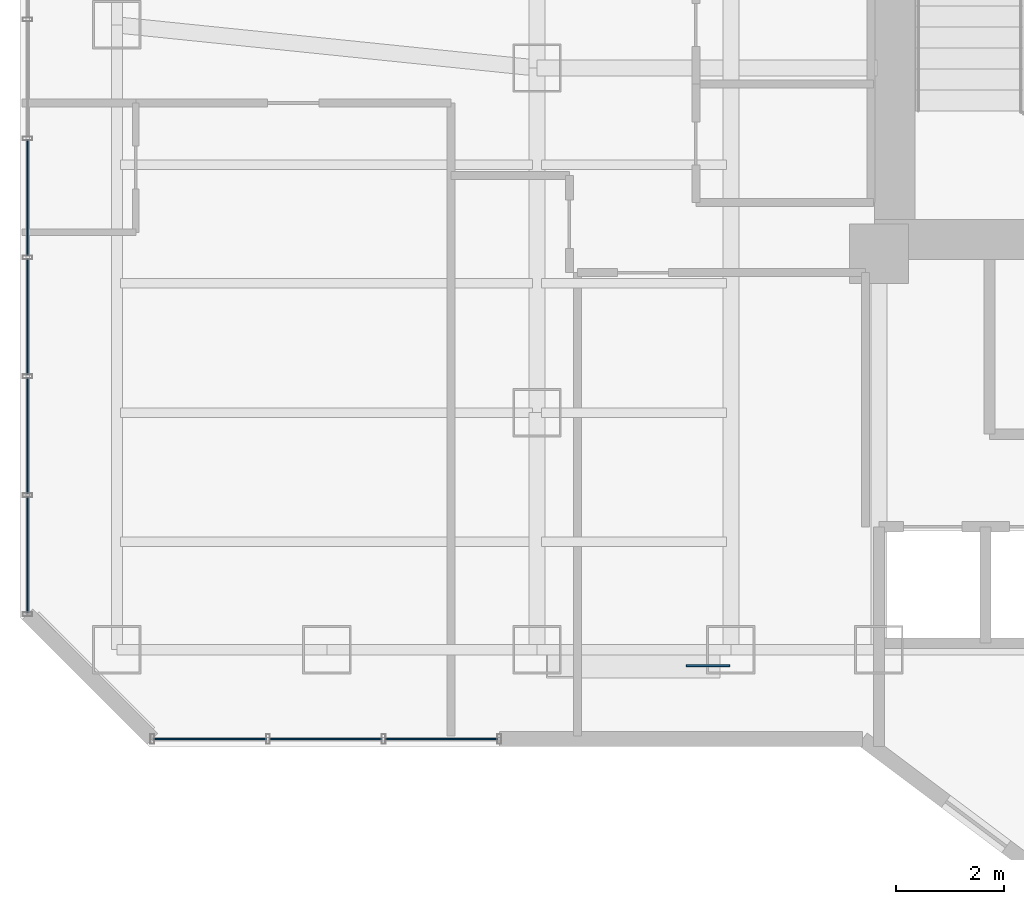
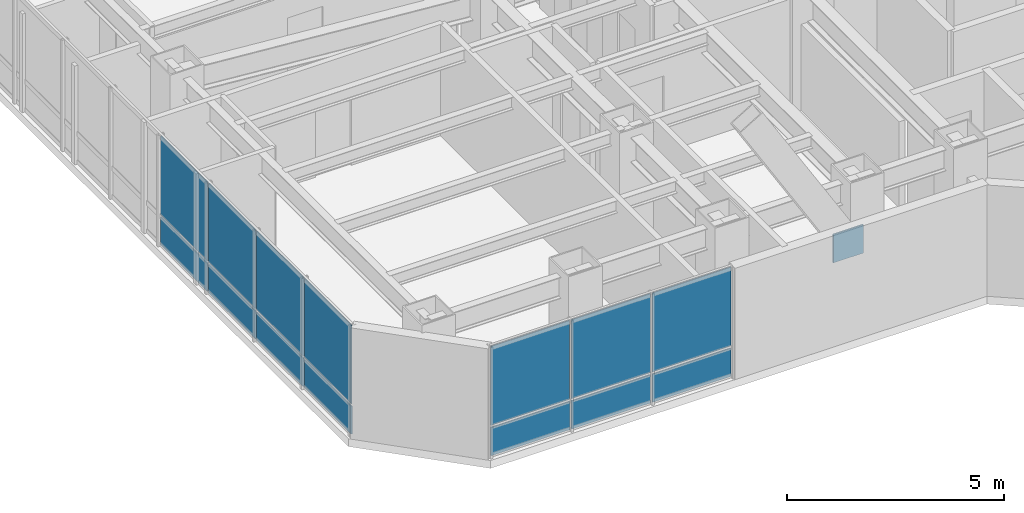
# One storey, part 20 of 31: 15 plates, 2 elements without a shape of their own.
"""IFC4 building model written with IfcOpenShell, lengths in metres."""

from ifc_helpers import new_model, si_unit, direction, frame, origin, origin_2d, place, context, subcontext, project, spatial, rectangle, extrude, material, layer, layer_set, type_object, element, aggregate, save


model = new_model("IFC4")

# Units and contexts
model_context = context("Model", 3, precision=1e-05, world=origin(), true_north=direction((0.0, 1.0)))
body_context = subcontext(model_context, "Body", "Model", "MODEL_VIEW")
ifc_project = project(units=[si_unit("LENGTHUNIT", "METRE"), si_unit("AREAUNIT", "SQUARE_METRE"), si_unit("VOLUMEUNIT", "CUBIC_METRE"), si_unit("PLANEANGLEUNIT", "RADIAN"), si_unit("MASSUNIT", "GRAM", prefix="KILO")], contexts=[model_context])

# Site, building, storey
site_placement = place(None, origin())
site = spatial("IfcSite", under=ifc_project, at=site_placement, CompositionType="ELEMENT")
building_placement = place(site_placement, origin())
building = spatial("IfcBuilding", under=site, at=building_placement, Name="Hatsunagi Terrace Concourse", CompositionType="ELEMENT")
storey_placement = place(building_placement, frame((0.0, 0.0, 77.949951171875)))
storey = spatial("IfcBuildingStorey", under=building, at=storey_placement, Name="L20", CompositionType="ELEMENT", Elevation=77.949951171875)

# Curtain wall, plates
ifc_material_1 = material(Name="Anodised Aluminium Alloy 6063-T5", Category="aluminium")
ifc_layer_1 = layer(ifc_material_1, 0.199951171875)
ifc_layer_set_1 = layer_set([ifc_layer_1], Name="HotelFacade_CW02")
curtain_wall_type = type_object("IfcCurtainWallType", Name="HotelFacade_CW02", PredefinedType="NOTDEFINED", material=ifc_layer_set_1)
curtain_wall_1_placement = place(storey_placement, origin())
curtain_wall_1 = element("IfcCurtainWall", 1, at=curtain_wall_1_placement, inside=storey, type_object=curtain_wall_type, Name="Unitised Curtain Wall CW-02 CW-L20-07", PredefinedType="NOTDEFINED")
ifc_material_2 = material(Name="Warm Terracotta Ceramic Spandrel Panel", Category="masonry")
ifc_layer_2 = layer(ifc_material_2, 0.031982421875)
ifc_layer_set_2 = layer_set([ifc_layer_2], Name="CurtainWallSpandrelPanel_32")
plate_type_1 = type_object("IfcPlateType", Name="CurtainWallSpandrelPanel_32", PredefinedType="SHEET", material=ifc_layer_set_2)
plate_1_placement = place(storey_placement, frame((17.426025390625, 23.5400390625, 0.030029296875), z_axis=(0.0, 0.0, 1.0), x_axis=(-1.0, 0.0, 0.0)))
plate_1 = element("IfcPlate", 2, at=plate_1_placement, type_object=plate_type_1, Name="Terracotta Spandrel Panel SPN-01", PredefinedType="SHEET", context=body_context, shape_type="SweptSolid", body=[
    extrude(rectangle(XDim=2.092041015625, YDim=0.031982421875, at=origin_2d()), origin(), (0.0, 0.0, 1.0), 0.7900390625),
])
plate_2_placement = place(storey_placement, frame((15.279052734375, 23.5400390625, 0.030029296875), z_axis=(0.0, 0.0, 1.0), x_axis=(-1.0, 0.0, 0.0)))
plate_2 = element("IfcPlate", 3, at=plate_2_placement, type_object=plate_type_1, Name="Terracotta Spandrel Panel SPN-01", PredefinedType="SHEET", context=body_context, shape_type="SweptSolid", body=[
    extrude(rectangle(XDim=2.092041015625, YDim=0.031982421875, at=origin_2d()), origin(), (0.0, 0.0, 1.0), 0.7900390625),
])
plate_3_placement = place(storey_placement, frame((13.132080078125, 23.5400390625, 0.030029296875), z_axis=(0.0, 0.0, 1.0), x_axis=(-1.0, 0.0, 0.0)))
plate_3 = element("IfcPlate", 4, at=plate_3_placement, type_object=plate_type_1, Name="Terracotta Spandrel Panel SPN-01", PredefinedType="SHEET", context=body_context, shape_type="SweptSolid", body=[
    extrude(rectangle(XDim=2.092041015625, YDim=0.031982421875, at=origin_2d()), origin(), (0.0, 0.0, 1.0), 0.7900390625),
])

curtain_wall_2_placement = place(storey_placement, origin())
curtain_wall_2 = element("IfcCurtainWall", 5, at=curtain_wall_2_placement, inside=storey, type_object=curtain_wall_type, Name="Unitised Curtain Wall CW-02 CW-L20-09", PredefinedType="NOTDEFINED")
plate_4_placement = place(storey_placement, frame((9.739990234375, 26.9619140625, 0.030029296875), z_axis=(0.0, 0.0, 1.0), x_axis=(0.0, 1.0, 0.0)))
plate_4 = element("IfcPlate", 6, at=plate_4_placement, type_object=plate_type_1, Name="Terracotta Spandrel Panel SPN-01", PredefinedType="SHEET", context=body_context, shape_type="SweptSolid", body=[
    extrude(rectangle(XDim=2.153076171875, YDim=0.031982421875, at=origin_2d()), origin(), (0.0, 0.0, 1.0), 0.7900390625),
])
plate_5_placement = place(storey_placement, frame((9.739990234375, 29.1708984375, 0.030029296875), z_axis=(0.0, 0.0, 1.0), x_axis=(0.0, 1.0, 0.0)))
plate_5 = element("IfcPlate", 7, at=plate_5_placement, type_object=plate_type_1, Name="Terracotta Spandrel Panel SPN-01", PredefinedType="SHEET", context=body_context, shape_type="SweptSolid", body=[
    extrude(rectangle(XDim=2.153076171875, YDim=0.031982421875, at=origin_2d()), origin(), (0.0, 0.0, 1.0), 0.7900390625),
])
plate_6_placement = place(storey_placement, frame((9.739990234375, 31.37890625, 0.030029296875), z_axis=(0.0, 0.0, 1.0), x_axis=(0.0, 1.0, 0.0)))
plate_6 = element("IfcPlate", 8, at=plate_6_placement, type_object=plate_type_1, Name="Terracotta Spandrel Panel SPN-01", PredefinedType="SHEET", context=body_context, shape_type="SweptSolid", body=[
    extrude(rectangle(XDim=2.153076171875, YDim=0.031982421875, at=origin_2d()), origin(), (0.0, 0.0, 1.0), 0.7900390625),
])
plate_7_placement = place(storey_placement, frame((9.739990234375, 33.5869140625, 0.030029296875), z_axis=(0.0, 0.0, 1.0), x_axis=(0.0, 1.0, 0.0)))
plate_7 = element("IfcPlate", 9, at=plate_7_placement, type_object=plate_type_1, Name="Terracotta Spandrel Panel SPN-01", PredefinedType="SHEET", context=body_context, shape_type="SweptSolid", body=[
    extrude(rectangle(XDim=2.153076171875, YDim=0.031982421875, at=origin_2d()), origin(), (0.0, 0.0, 1.0), 0.7900390625),
])

# Plate
ifc_material_3 = material(Name="Low-E Double Insulating Glass 28mm", Category="glass")
ifc_layer_3 = layer(ifc_material_3, 0.028076171875)
ifc_layer_set_3 = layer_set([ifc_layer_3], Name="CurtainWallVisionGlass_28")
plate_type_2 = type_object("IfcPlateType", Name="CurtainWallVisionGlass_28", PredefinedType="CURTAIN_PANEL", material=ifc_layer_set_3)
plate_8_placement = place(storey_placement, frame((17.426025390625, 23.5400390625, 0.8798828125), z_axis=(0.0, 0.0, 1.0), x_axis=(-1.0, 0.0, 0.0)))
plate_8 = element("IfcPlate", 10, at=plate_8_placement, type_object=plate_type_2, Name="Low-E Vision Glass Panel GLZ-01", PredefinedType="CURTAIN_PANEL", context=body_context, shape_type="SweptSolid", body=[
    extrude(rectangle(XDim=2.092041015625, YDim=0.028076171875, at=origin_2d()), origin(), (0.0, 0.0, 1.0), 2.219970703125),
])

plate_9_placement = place(storey_placement, frame((15.279052734375, 23.5400390625, 0.8798828125), z_axis=(0.0, 0.0, 1.0), x_axis=(-1.0, 0.0, 0.0)))
plate_9 = element("IfcPlate", 11, at=plate_9_placement, type_object=plate_type_2, Name="Low-E Vision Glass Panel GLZ-01", PredefinedType="CURTAIN_PANEL", context=body_context, shape_type="SweptSolid", body=[
    extrude(rectangle(XDim=2.092041015625, YDim=0.028076171875, at=origin_2d()), origin(), (0.0, 0.0, 1.0), 2.219970703125),
])

plate_10_placement = place(storey_placement, frame((13.132080078125, 23.5400390625, 0.8798828125), z_axis=(0.0, 0.0, 1.0), x_axis=(-1.0, 0.0, 0.0)))
plate_10 = element("IfcPlate", 12, at=plate_10_placement, type_object=plate_type_2, Name="Low-E Vision Glass Panel GLZ-01", PredefinedType="CURTAIN_PANEL", context=body_context, shape_type="SweptSolid", body=[
    extrude(rectangle(XDim=2.092041015625, YDim=0.028076171875, at=origin_2d()), origin(), (0.0, 0.0, 1.0), 2.219970703125),
])

aggregate(curtain_wall_1, [plate_1, plate_8, plate_2, plate_9, plate_3, plate_10])

plate_11_placement = place(storey_placement, frame((9.739990234375, 26.9619140625, 0.8798828125), z_axis=(0.0, 0.0, 1.0), x_axis=(0.0, 1.0, 0.0)))
plate_11 = element("IfcPlate", 13, at=plate_11_placement, type_object=plate_type_2, Name="Low-E Vision Glass Panel GLZ-01", PredefinedType="CURTAIN_PANEL", context=body_context, shape_type="SweptSolid", body=[
    extrude(rectangle(XDim=2.153076171875, YDim=0.028076171875, at=origin_2d()), origin(), (0.0, 0.0, 1.0), 2.219970703125),
])

plate_12_placement = place(storey_placement, frame((9.739990234375, 29.1708984375, 0.8798828125), z_axis=(0.0, 0.0, 1.0), x_axis=(0.0, 1.0, 0.0)))
plate_12 = element("IfcPlate", 14, at=plate_12_placement, type_object=plate_type_2, Name="Low-E Vision Glass Panel GLZ-01", PredefinedType="CURTAIN_PANEL", context=body_context, shape_type="SweptSolid", body=[
    extrude(rectangle(XDim=2.153076171875, YDim=0.028076171875, at=origin_2d()), origin(), (0.0, 0.0, 1.0), 2.219970703125),
])

plate_13_placement = place(storey_placement, frame((9.739990234375, 31.37890625, 0.8798828125), z_axis=(0.0, 0.0, 1.0), x_axis=(0.0, 1.0, 0.0)))
plate_13 = element("IfcPlate", 15, at=plate_13_placement, type_object=plate_type_2, Name="Low-E Vision Glass Panel GLZ-01", PredefinedType="CURTAIN_PANEL", context=body_context, shape_type="SweptSolid", body=[
    extrude(rectangle(XDim=2.153076171875, YDim=0.028076171875, at=origin_2d()), origin(), (0.0, 0.0, 1.0), 2.219970703125),
])

plate_14_placement = place(storey_placement, frame((9.739990234375, 33.5869140625, 0.8798828125), z_axis=(0.0, 0.0, 1.0), x_axis=(0.0, 1.0, 0.0)))
plate_14 = element("IfcPlate", 16, at=plate_14_placement, type_object=plate_type_2, Name="Low-E Vision Glass Panel GLZ-01", PredefinedType="CURTAIN_PANEL", context=body_context, shape_type="SweptSolid", body=[
    extrude(rectangle(XDim=2.153076171875, YDim=0.028076171875, at=origin_2d()), origin(), (0.0, 0.0, 1.0), 2.219970703125),
])

aggregate(curtain_wall_2, [plate_4, plate_11, plate_5, plate_12, plate_6, plate_13, plate_7, plate_14])

ifc_material_4 = material(Name="Steel SN490C", Category="steel")
ifc_layer_4 = layer(ifc_material_4, 0.031982421875)
ifc_layer_set_4 = layer_set([ifc_layer_4], Name="XBraceNodeCapPlate_32")
plate_type_3 = type_object("IfcPlateType", Name="XBraceNodeCapPlate_32", PredefinedType="USERDEFINED", material=ifc_layer_set_4)
plate_15_placement = place(storey_placement, frame((22.375, 24.89990234375, 1.1650390625), z_axis=(0.0, 0.0, 1.0), x_axis=(1.0, 0.0, 0.0)))
element("IfcPlate", 17, at=plate_15_placement, inside=storey, type_object=plate_type_3, Name="X-Brace Crossing Gusset Node Plate GP-02 XB-L19-W1", ObjectType="GUSSET_PLATE", PredefinedType="USERDEFINED", context=body_context, shape_type="SweptSolid", body=[
    extrude(rectangle(XDim=0.800048828125, YDim=0.031982421875, at=origin_2d()), origin(), (0.0, 0.0, 1.0), 0.800048828125),
])

save(model, "model.ifc")
